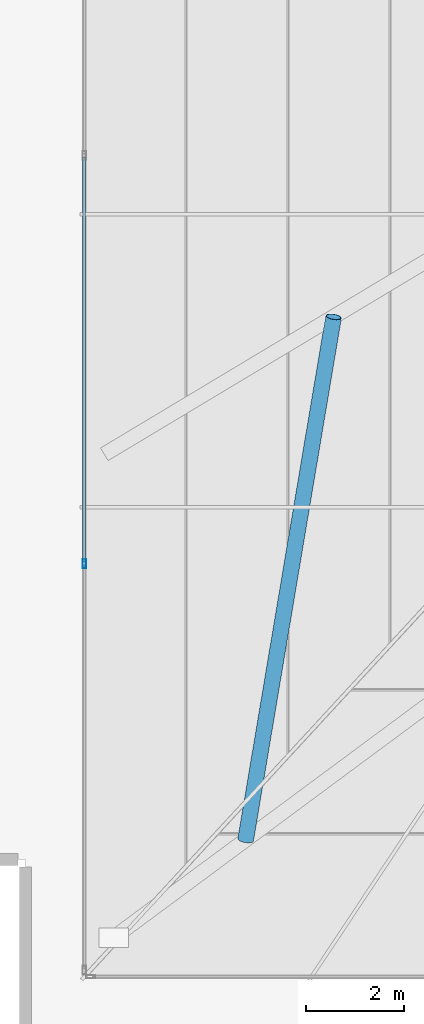
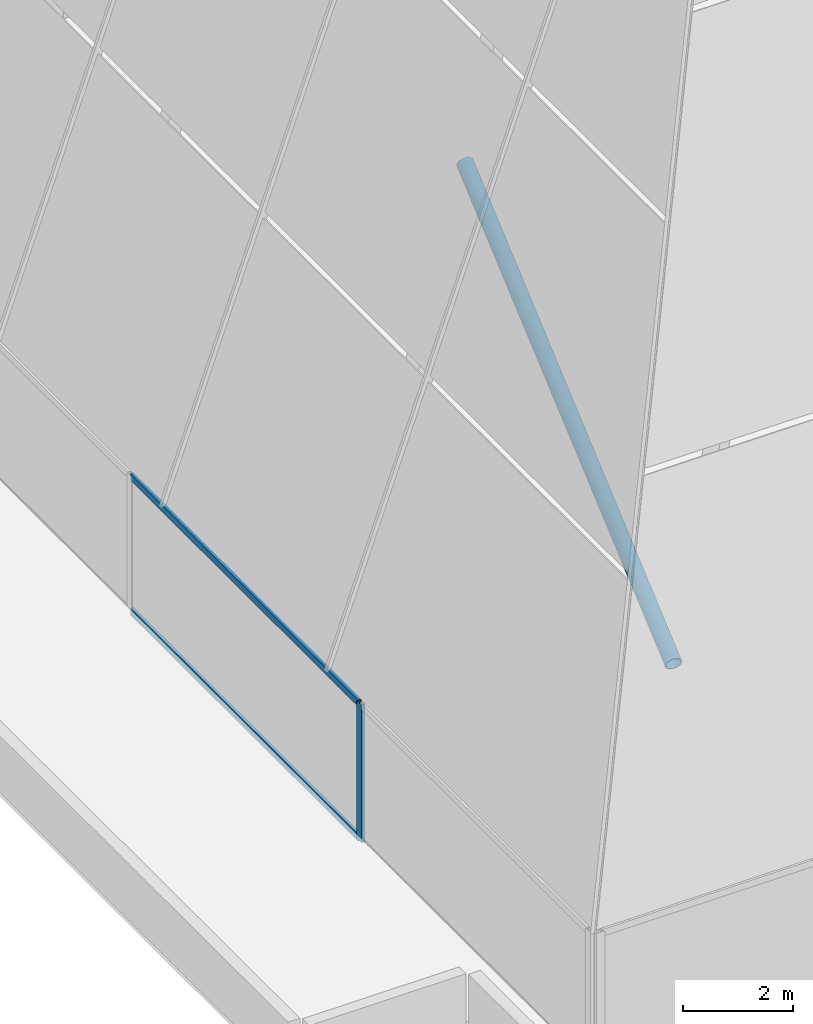
# One storey, part 3 of 32: 4 members, 1 element without a shape of its own.
"""IFC4 building model written with IfcOpenShell, lengths in metres."""

from ifc_helpers import new_model, si_unit, direction, frame, origin, origin_2d, place, context, subcontext, project, spatial, hollow_rectangle, hollow_circle, extrude, source, transform, mapped, material, layer, layer_set, material_profile, profile_set, type_object, element, aggregate, save


model = new_model("IFC4")

# Units and contexts
model_context = context("Model", 3, precision=1e-05, world=origin(), true_north=direction((0.0, 1.0)))
body_context = subcontext(model_context, "Body", "Model", "MODEL_VIEW")
ifc_project = project(units=[si_unit("LENGTHUNIT", "METRE"), si_unit("AREAUNIT", "SQUARE_METRE"), si_unit("VOLUMEUNIT", "CUBIC_METRE"), si_unit("PLANEANGLEUNIT", "RADIAN"), si_unit("MASSUNIT", "GRAM", prefix="KILO")], contexts=[model_context])

# Site, building, storey
site_placement = place(None, origin())
site = spatial("IfcSite", under=ifc_project, at=site_placement, CompositionType="ELEMENT")
building_placement = place(site_placement, origin())
building = spatial("IfcBuilding", under=site, at=building_placement, Name="Sumidabori Civic Tower", CompositionType="ELEMENT")
storey_placement = place(building_placement, frame((0.0, 0.0, 298.199951171875)))
storey = spatial("IfcBuildingStorey", under=building, at=storey_placement, Name="RF Roof Crown", CompositionType="ELEMENT", Elevation=298.199951171875)

# Member
ifc_material_1 = material(Name="Steel SN490", Category="steel")
ifc_material_profile_1 = material_profile(ifc_material_1, hollow_circle(Radius=0.161865234375, WallThickness=0.01611328125, at=origin_2d()), Name="CHS 323.9x16")
ifc_profile_set_1 = profile_set([ifc_material_profile_1], Name="Steel SN490")
member_type_1 = type_object("IfcMemberType", Name="MB-CRN-BRACE", PredefinedType="BRACE", material=ifc_profile_set_1)
shared_shape_1 = source(origin(), body_context, "Body", "SweptSolid", [
    extrude(hollow_circle(Radius=0.161865234375, WallThickness=0.01611328125, at=origin_2d()), origin(), (0.0, 0.0, 1.0), 11.5625),
])
member_1_placement = place(storey_placement, frame((-13.300048828125, -8.0, 6.175048828125), z_axis=(0.155680663738, 0.925405730319, 0.345525346726), x_axis=(-0.986142842458, 0.165898445649, 0.0)))
element("IfcMember", 1, at=member_1_placement, inside=storey, type_object=member_type_1, Name="Crown Structural Rafter RF-BRC-5", PredefinedType="BRACE", context=body_context, shape_type="MappedRepresentation", body=[
    mapped(shared_shape_1, transform((0.0, 0.0, 0.0), x_axis=(1.0, 0.0, 0.0), y_axis=(0.0, 1.0, 0.0), z_axis=(0.0, 0.0, 1.0), scale=1.0)),
])

# Curtain wall, members
ifc_material_2 = material(Name="Anodised Bronze Aluminium AW-6063-T6", Category="aluminium")
ifc_layer = layer(ifc_material_2, 0.179931640625, Name="Anodised Bronze Aluminium AW-6063-T6")
ifc_layer_set = layer_set([ifc_layer], Name="Anodised Bronze Aluminium AW-6063-T6")
curtain_wall_type = type_object("IfcCurtainWallType", Name="CW-SYS-6", PredefinedType="NOTDEFINED", material=ifc_layer_set)
curtain_wall_placement = place(storey_placement, origin())
curtain_wall = element("IfcCurtainWall", 2, at=curtain_wall_placement, inside=storey, type_object=curtain_wall_type, Name="Glass-Point Crown West Cheek Curtain Wall", PredefinedType="NOTDEFINED")
ifc_material_profile_2 = material_profile(ifc_material_2, hollow_rectangle(XDim=0.070068359375, YDim=0.179931640625, WallThickness=0.006103515625, at=origin_2d()), Name="ALU MULLION 180x70")
ifc_profile_set_2 = profile_set([ifc_material_profile_2], Name="Anodised Bronze Aluminium AW-6063-T6")
member_type_2 = type_object("IfcMemberType", Name="CW-MUL-180", PredefinedType="MULLION", material=ifc_profile_set_2)
shared_shape_2 = source(origin(), body_context, "Body", "SweptSolid", [
    extrude(hollow_rectangle(XDim=0.070068359375, YDim=0.179931640625, WallThickness=0.006103515625, at=origin_2d()), origin(), (0.0, 0.0, 1.0), 3.050048828125),
])
member_2_placement = place(storey_placement, frame((-16.60009765625, -2.35009765625, 0.0), z_axis=(0.0, 0.0, 1.0), x_axis=(1.0, 0.0, 0.0)))
member_2 = element("IfcMember", 3, at=member_2_placement, type_object=member_type_2, Name="CW-6 mullion 4", PredefinedType="MULLION", context=body_context, shape_type="MappedRepresentation", body=[
    mapped(shared_shape_2, transform((0.0, 0.0, 0.0), x_axis=(1.0, 0.0, 0.0), y_axis=(0.0, 1.0, 0.0), z_axis=(0.0, 0.0, 1.0), scale=1.0)),
])
ifc_material_profile_3 = material_profile(ifc_material_2, hollow_rectangle(XDim=0.06494140625, YDim=0.14990234375, WallThickness=0.0048828125, at=origin_2d()), Name="ALU TRANSOM 150x65")
ifc_profile_set_3 = profile_set([ifc_material_profile_3], Name="Anodised Bronze Aluminium AW-6063-T6")
member_type_3 = type_object("IfcMemberType", Name="CW-TRN-150", PredefinedType="USERDEFINED", material=ifc_profile_set_3)
shared_shape_3 = source(origin(), body_context, "Body", "SweptSolid", [
    extrude(hollow_rectangle(XDim=0.06494140625, YDim=0.14990234375, WallThickness=0.0048828125, at=origin_2d()), origin(), (0.0, 0.0, 1.0), 8.280029296875),
])
member_3_placement = place(storey_placement, frame((-16.60009765625, 5.965087890625, 0.032470703125), z_axis=(0.0, -1.0, 0.0), x_axis=(1.0, 0.0, 0.0)))
member_3 = element("IfcMember", 4, at=member_3_placement, type_object=member_type_3, Name="CW-6 transom 3.1", ObjectType="TRANSOM", PredefinedType="USERDEFINED", context=body_context, shape_type="MappedRepresentation", body=[
    mapped(shared_shape_3, transform((0.0, 0.0, 0.0), x_axis=(1.0, 0.0, 0.0), y_axis=(0.0, 1.0, 0.0), z_axis=(0.0, 0.0, 1.0), scale=1.0)),
])
member_4_placement = place(storey_placement, frame((-16.60009765625, 5.965087890625, 3.017578125), z_axis=(0.0, -1.0, 0.0), x_axis=(1.0, 0.0, 0.0)))
member_4 = element("IfcMember", 5, at=member_4_placement, type_object=member_type_3, Name="CW-6 transom 3.2", ObjectType="TRANSOM", PredefinedType="USERDEFINED", context=body_context, shape_type="MappedRepresentation", body=[
    mapped(shared_shape_3, transform((0.0, 0.0, 0.0), x_axis=(1.0, 0.0, 0.0), y_axis=(0.0, 1.0, 0.0), z_axis=(0.0, 0.0, 1.0), scale=1.0)),
])
aggregate(curtain_wall, [member_2, member_3, member_4])

save(model, "model.ifc")
